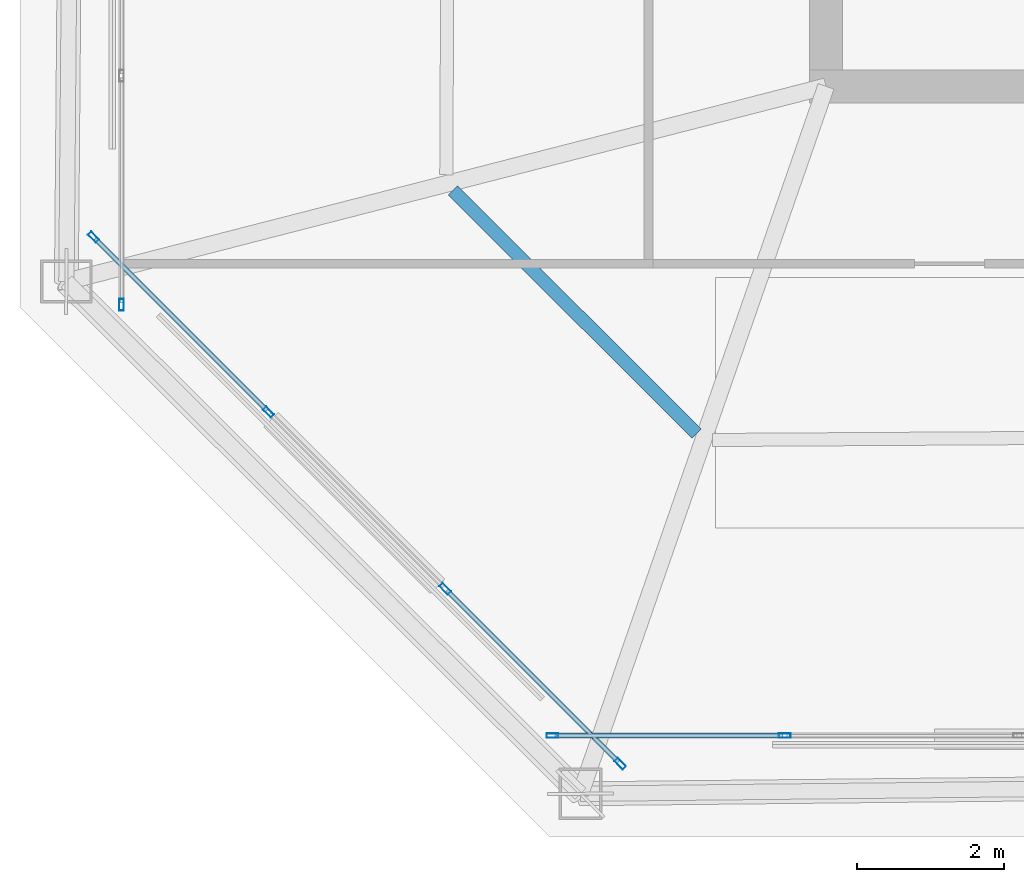
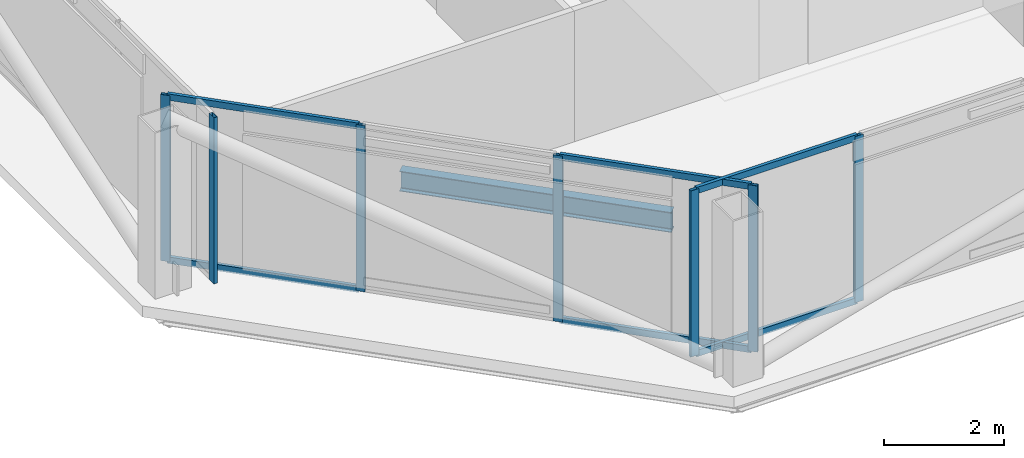
# One storey, part 2 of 26: 13 members, 1 beam, 3 elements without a shape of their own.
"""IFC4 building model written with IfcOpenShell, lengths in metres."""

from ifc_helpers import new_model, si_unit, direction, frame, origin, origin_2d, place, context, subcontext, project, spatial, hollow_rectangle, i_section, extrude, material, layer, layer_set, material_profile, profile_set, type_object, element, aggregate, save


model = new_model("IFC4")

# Units and contexts
model_context = context("Model", 3, precision=1e-05, world=origin(), true_north=direction((0.0, 1.0)))
body_context = subcontext(model_context, "Body", "Model", "MODEL_VIEW")
ifc_project = project(units=[si_unit("LENGTHUNIT", "METRE"), si_unit("AREAUNIT", "SQUARE_METRE"), si_unit("VOLUMEUNIT", "CUBIC_METRE"), si_unit("PLANEANGLEUNIT", "RADIAN"), si_unit("MASSUNIT", "GRAM", prefix="KILO")], contexts=[model_context])

# Site, building, storey
site_placement = place(None, origin())
site = spatial("IfcSite", under=ifc_project, at=site_placement, CompositionType="ELEMENT")
building_placement = place(site_placement, origin())
building = spatial("IfcBuilding", under=site, at=building_placement, Name="Caelvoria Tower", CompositionType="ELEMENT")
storey_placement = place(building_placement, frame((0.0, 0.0, 239.39990234375)))
storey = spatial("IfcBuildingStorey", under=building, at=storey_placement, Name="L63", CompositionType="ELEMENT", Elevation=239.39990234375)

# Curtain wall, members
ifc_material_1 = material(Name="Anodised Bronze Aluminium and Low-E Glass", Category="aluminium")
ifc_layer = layer(ifc_material_1, 0.175048828125, Name="Anodised Bronze Aluminium and Low-E Glass")
ifc_layer_set = layer_set([ifc_layer], Name="CW System 4 High-Zone Tapered Crystal Facade - Anodised Bronze Aluminium and Low-E Glass")
curtain_wall_type = type_object("IfcCurtainWallType", Name="CW System 4 High-Zone Tapered Crystal Facade", PredefinedType="NOTDEFINED", material=ifc_layer_set)
curtain_wall_1_placement = place(storey_placement, origin())
curtain_wall_1 = element("IfcCurtainWall", 1, at=curtain_wall_1_placement, inside=storey, type_object=curtain_wall_type, Name="CW-04 Curtain Wall L63-E0", PredefinedType="NOTDEFINED")
ifc_material_2 = material(Name="Anodised Bronze Architectural Aluminium", Category="aluminium")
ifc_material_profile_1 = material_profile(ifc_material_2, hollow_rectangle(XDim=0.06494140625, YDim=0.159912109375, WallThickness=0.00390625, at=origin_2d()), Name="Anodised Bronze Architectural Aluminium")
ifc_profile_set_1 = profile_set([ifc_material_profile_1], Name="CW_MULL_65X160 - Anodised Bronze Architectural Aluminium")
member_type_1 = type_object("IfcMemberType", Name="Curtain Wall Mullion 65x160 Bronze Aluminium", PredefinedType="MULLION", material=ifc_profile_set_1)
member_1_placement = place(storey_placement, frame((33.282470703125, 15.179931640625, 0.0), z_axis=(0.0, 0.0, 1.0), x_axis=(0.0, 1.0, 0.0)))
member_1 = element("IfcMember", 2, at=member_1_placement, type_object=member_type_1, Name="CW-04 mullion 1", PredefinedType="MULLION", context=body_context, shape_type="SweptSolid", body=[
    extrude(hollow_rectangle(XDim=0.06494140625, YDim=0.159912109375, WallThickness=0.00390625, at=origin_2d()), origin(), (0.0, 0.0, 1.0), 3.375),
])
member_2_placement = place(storey_placement, frame((36.4375, 15.179931640625, 0.0), z_axis=(0.0, 0.0, 1.0), x_axis=(0.0, 1.0, 0.0)))
member_2 = element("IfcMember", 3, at=member_2_placement, type_object=member_type_1, Name="CW-04 mullion 2", PredefinedType="MULLION", context=body_context, shape_type="SweptSolid", body=[
    extrude(hollow_rectangle(XDim=0.06494140625, YDim=0.159912109375, WallThickness=0.00390625, at=origin_2d()), origin(), (0.0, 0.0, 1.0), 3.375),
])

# Curtain wall, member
curtain_wall_2_placement = place(storey_placement, origin())
curtain_wall_2 = element("IfcCurtainWall", 4, at=curtain_wall_2_placement, inside=storey, type_object=curtain_wall_type, Name="CW-04 Curtain Wall L63-E6", PredefinedType="NOTDEFINED")
member_3_placement = place(storey_placement, frame((27.429931640625, 21.032470703125, 0.0), z_axis=(0.0, 0.0, 1.0), x_axis=(1.0, 0.0, 0.0)))
member_3 = element("IfcMember", 5, at=member_3_placement, type_object=member_type_1, Name="CW-04 mullion 8", PredefinedType="MULLION", context=body_context, shape_type="SweptSolid", body=[
    extrude(hollow_rectangle(XDim=0.06494140625, YDim=0.159912109375, WallThickness=0.00390625, at=origin_2d()), origin(), (0.0, 0.0, 1.0), 3.375),
])
aggregate(curtain_wall_2, [member_3])

# Curtain wall, members
curtain_wall_3_placement = place(storey_placement, origin())
curtain_wall_3 = element("IfcCurtainWall", 6, at=curtain_wall_3_placement, inside=storey, type_object=curtain_wall_type, Name="CW-04 Curtain Wall L63-E7", PredefinedType="NOTDEFINED")
member_4_placement = place(storey_placement, frame((27.048828125, 21.952880859375, 0.0), z_axis=(0.0, 0.0, 1.0), x_axis=(0.707106781187, 0.707106781187, 0.0)))
member_4 = element("IfcMember", 7, at=member_4_placement, type_object=member_type_1, Name="CW-04 mullion 1", PredefinedType="MULLION", context=body_context, shape_type="SweptSolid", body=[
    extrude(hollow_rectangle(XDim=0.06494140625, YDim=0.159912109375, WallThickness=0.00390625, at=origin_2d()), origin(), (0.0, 0.0, 1.0), 3.375),
])
member_5_placement = place(storey_placement, frame((29.42578125, 19.57568359375, 0.0), z_axis=(0.0, 0.0, 1.0), x_axis=(0.707106781187, 0.707106781187, 0.0)))
member_5 = element("IfcMember", 8, at=member_5_placement, type_object=member_type_1, Name="CW-04 mullion 2", PredefinedType="MULLION", context=body_context, shape_type="SweptSolid", body=[
    extrude(hollow_rectangle(XDim=0.06494140625, YDim=0.159912109375, WallThickness=0.00390625, at=origin_2d()), origin(), (0.0, 0.0, 1.0), 3.375),
])
member_6_placement = place(storey_placement, frame((31.82568359375, 17.17578125, 0.0), z_axis=(0.0, 0.0, 1.0), x_axis=(0.707106781187, 0.707106781187, 0.0)))
member_6 = element("IfcMember", 9, at=member_6_placement, type_object=member_type_1, Name="CW-04 mullion 3", PredefinedType="MULLION", context=body_context, shape_type="SweptSolid", body=[
    extrude(hollow_rectangle(XDim=0.06494140625, YDim=0.159912109375, WallThickness=0.00390625, at=origin_2d()), origin(), (0.0, 0.0, 1.0), 3.375),
])
member_7_placement = place(storey_placement, frame((34.202880859375, 14.798828125, 0.0), z_axis=(0.0, 0.0, 1.0), x_axis=(0.707106781187, 0.707106781187, 0.0)))
member_7 = element("IfcMember", 10, at=member_7_placement, type_object=member_type_1, Name="CW-04 mullion 4", PredefinedType="MULLION", context=body_context, shape_type="SweptSolid", body=[
    extrude(hollow_rectangle(XDim=0.06494140625, YDim=0.159912109375, WallThickness=0.00390625, at=origin_2d()), origin(), (0.0, 0.0, 1.0), 3.375),
])

# Member
ifc_material_profile_2 = material_profile(ifc_material_2, hollow_rectangle(XDim=0.06494140625, YDim=0.1298828125, WallThickness=0.00341796875, at=origin_2d()), Name="Anodised Bronze Architectural Aluminium")
ifc_profile_set_2 = profile_set([ifc_material_profile_2], Name="CW_TRAN_65X130 - Anodised Bronze Architectural Aluminium")
member_type_2 = type_object("IfcMemberType", Name="Curtain Wall Transom 65x130 Bronze Aluminium", PredefinedType="USERDEFINED", material=ifc_profile_set_2)
member_8_placement = place(storey_placement, frame((33.31494140625, 15.179931640625, 0.03271484375), z_axis=(1.0, 0.0, 0.0), x_axis=(0.0, 1.0, 0.0)))
member_8 = element("IfcMember", 11, at=member_8_placement, type_object=member_type_2, Name="CW-04 transom 1.1", ObjectType="TRANSOM", PredefinedType="USERDEFINED", context=body_context, shape_type="SweptSolid", body=[
    extrude(hollow_rectangle(XDim=0.06494140625, YDim=0.1298828125, WallThickness=0.00341796875, at=origin_2d()), origin(), (0.0, 0.0, 1.0), 3.090087890625),
])

member_9_placement = place(storey_placement, frame((33.31494140625, 15.179931640625, 3.342529296875), z_axis=(1.0, 0.0, 0.0), x_axis=(0.0, 1.0, 0.0)))
member_9 = element("IfcMember", 12, at=member_9_placement, type_object=member_type_2, Name="CW-04 transom 1.2", ObjectType="TRANSOM", PredefinedType="USERDEFINED", context=body_context, shape_type="SweptSolid", body=[
    extrude(hollow_rectangle(XDim=0.06494140625, YDim=0.1298828125, WallThickness=0.00341796875, at=origin_2d()), origin(), (0.0, 0.0, 1.0), 3.090087890625),
])

aggregate(curtain_wall_1, [member_1, member_2, member_8, member_9])

member_10_placement = place(storey_placement, frame((27.07177734375, 21.929931640625, 0.03271484375), z_axis=(0.707106781187, -0.707106781187, 0.0), x_axis=(0.707106781187, 0.707106781187, 0.0)))
member_10 = element("IfcMember", 13, at=member_10_placement, type_object=member_type_2, Name="CW-04 transom 1.1", ObjectType="TRANSOM", PredefinedType="USERDEFINED", context=body_context, shape_type="SweptSolid", body=[
    extrude(hollow_rectangle(XDim=0.06494140625, YDim=0.1298828125, WallThickness=0.00341796875, at=origin_2d()), origin(), (0.0, 0.0, 1.0), 3.296630859375),
])

member_11_placement = place(storey_placement, frame((27.07177734375, 21.929931640625, 3.342529296875), z_axis=(0.707106781187, -0.707106781187, 0.0), x_axis=(0.707106781187, 0.707106781187, 0.0)))
member_11 = element("IfcMember", 14, at=member_11_placement, type_object=member_type_2, Name="CW-04 transom 1.2", ObjectType="TRANSOM", PredefinedType="USERDEFINED", context=body_context, shape_type="SweptSolid", body=[
    extrude(hollow_rectangle(XDim=0.06494140625, YDim=0.1298828125, WallThickness=0.00341796875, at=origin_2d()), origin(), (0.0, 0.0, 1.0), 3.296630859375),
])

member_12_placement = place(storey_placement, frame((31.848876953125, 17.15283203125, 0.03271484375), z_axis=(0.707106781187, -0.707106781187, 0.0), x_axis=(0.707106781187, 0.707106781187, 0.0)))
member_12 = element("IfcMember", 15, at=member_12_placement, type_object=member_type_2, Name="CW-04 transom 3.1", ObjectType="TRANSOM", PredefinedType="USERDEFINED", context=body_context, shape_type="SweptSolid", body=[
    extrude(hollow_rectangle(XDim=0.06494140625, YDim=0.1298828125, WallThickness=0.00341796875, at=origin_2d()), origin(), (0.0, 0.0, 1.0), 3.296630859375),
])

member_13_placement = place(storey_placement, frame((31.848876953125, 17.15283203125, 3.342529296875), z_axis=(0.707106781187, -0.707106781187, 0.0), x_axis=(0.707106781187, 0.707106781187, 0.0)))
member_13 = element("IfcMember", 16, at=member_13_placement, type_object=member_type_2, Name="CW-04 transom 3.2", ObjectType="TRANSOM", PredefinedType="USERDEFINED", context=body_context, shape_type="SweptSolid", body=[
    extrude(hollow_rectangle(XDim=0.06494140625, YDim=0.1298828125, WallThickness=0.00341796875, at=origin_2d()), origin(), (0.0, 0.0, 1.0), 3.296630859375),
])

aggregate(curtain_wall_3, [member_4, member_5, member_6, member_7, member_10, member_11, member_12, member_13])

# Beam
ifc_material_3 = material(Name="Structural Steel ASTM A992 Gr.50", Category="steel")
ifc_material_profile_3 = material_profile(ifc_material_3, i_section(OverallWidth=0.177978515625, OverallDepth=0.406982421875, WebThickness=0.0078125, FlangeThickness=0.0126953125, FilletRadius=0.013916015625, at=origin_2d()), Name="Structural Steel ASTM A992 Gr.50")
ifc_profile_set_3 = profile_set([ifc_material_profile_3], Name="W410X60 - Structural Steel ASTM A992 Gr.50")
beam_type = type_object("IfcBeamType", Name="Secondary Floor Beam W410X60", PredefinedType="BEAM", material=ifc_profile_set_3)
beam_placement = place(storey_placement, frame((31.9287109375, 22.585693359375, -0.428466796875), z_axis=(0.708357925601, -0.705853419088, 0.0), x_axis=(0.705853419088, 0.708357925601, 0.0)))
element("IfcBeam", 17, at=beam_placement, inside=storey, type_object=beam_type, Name="Secondary Floor Beam L63-11", PredefinedType="BEAM", context=body_context, shape_type="SweptSolid", body=[
    extrude(i_section(OverallWidth=0.177978515625, OverallDepth=0.406982421875, WebThickness=0.0078125, FlangeThickness=0.0126953125, FilletRadius=0.013916015625, at=origin_2d()), origin(), (0.0, 0.0, 1.0), 4.678955078125),
])

save(model, "model.ifc")
